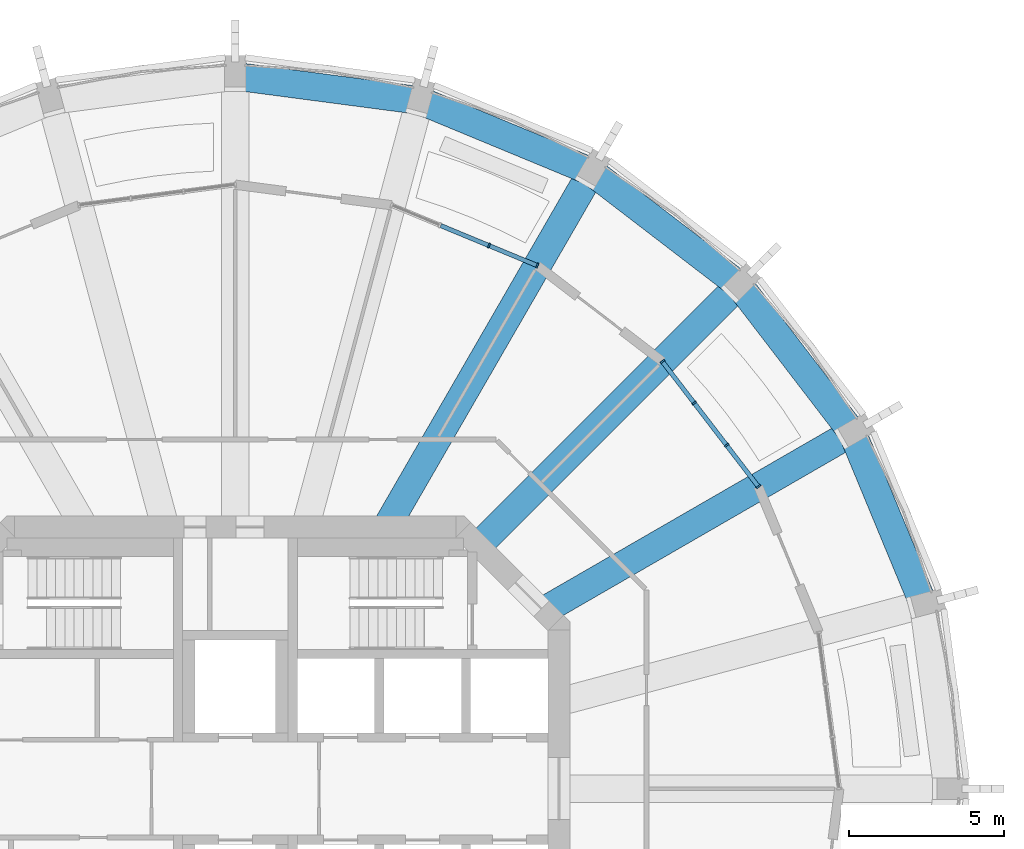
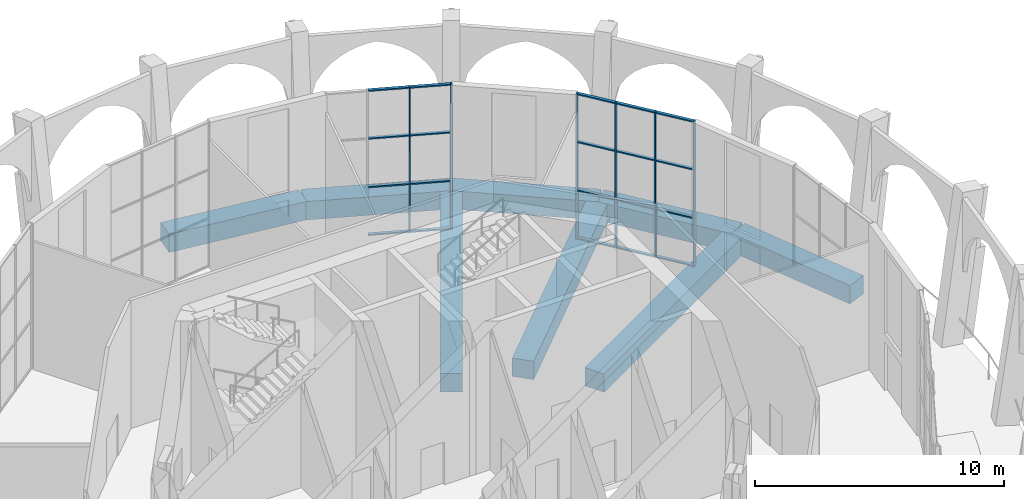
# One storey, part 6 of 16: 26 members, 8 beams, 2 elements without a shape of their own.
"""IFC4 building model written with IfcOpenShell, lengths in metres."""

from ifc_helpers import new_model, si_unit, direction, frame, origin, origin_2d, place, context, subcontext, project, spatial, rectangle, extrude, material, material_profile, profile_set, type_object, element, aggregate, save


model = new_model("IFC4")

# Units and contexts
model_context = context("Model", 3, precision=1e-05, world=origin(), true_north=direction((0.0, 1.0)))
body_context = subcontext(model_context, "Body", "Model", "MODEL_VIEW")
ifc_project = project(units=[si_unit("LENGTHUNIT", "METRE"), si_unit("AREAUNIT", "SQUARE_METRE"), si_unit("VOLUMEUNIT", "CUBIC_METRE"), si_unit("PLANEANGLEUNIT", "RADIAN"), si_unit("MASSUNIT", "GRAM", prefix="KILO")], contexts=[model_context])

# Site, building, storey
site_placement = place(None, origin())
site = spatial("IfcSite", under=ifc_project, at=site_placement, CompositionType="ELEMENT")
building_placement = place(site_placement, origin())
building = spatial("IfcBuilding", under=site, at=building_placement, Name="Torre Triforio", CompositionType="ELEMENT")
storey_placement = place(building_placement, frame((0.0, 0.0, 218.699951171875)))
storey = spatial("IfcBuildingStorey", under=building, at=storey_placement, Name="L50", CompositionType="ELEMENT", Elevation=218.699951171875)

# Curtain wall, members
ifc_material_1 = material(Name="Aluminium mullion and transom frame with clear laminated glass", Category="aluminium")
curtain_wall_type = type_object("IfcCurtainWallType", Name="Sky garden conservatory wall ECW3", PredefinedType="NOTDEFINED", material=ifc_material_1)
curtain_wall_1_placement = place(storey_placement, origin())
curtain_wall_1 = element("IfcCurtainWall", 1, at=curtain_wall_1_placement, inside=storey, type_object=curtain_wall_type, Name="Conservatory wall L50 bay 03", PredefinedType="NOTDEFINED")
ifc_material_2 = material(Name="Anodised aluminium extrusion", Category="aluminium")
ifc_material_profile_1 = material_profile(ifc_material_2, rectangle(XDim=0.159912109375, YDim=0.06005859375, at=origin_2d()), Name="ECW3 MULLION 60x160")
ifc_profile_set_1 = profile_set([ifc_material_profile_1], Name="Anodised aluminium extrusion")
member_type_1 = type_object("IfcMemberType", Name="ECW3 mullion 60 x 160", PredefinedType="MULLION", material=ifc_profile_set_1)
member_1_placement = place(storey_placement, frame((16.887451171875, 9.75, 0.0), z_axis=(0.0, 0.0, 1.0), x_axis=(-0.793348796067, -0.608767351111, 0.0)))
member_1 = element("IfcMember", 2, at=member_1_placement, type_object=member_type_1, Name="ECW3 mullion 1", PredefinedType="MULLION", context=body_context, shape_type="SweptSolid", body=[
    extrude(rectangle(XDim=0.159912109375, YDim=0.06005859375, at=origin_2d()), origin(), (0.0, 0.0, 1.0), 7.1201171875),
])
member_2_placement = place(storey_placement, frame((15.860595703125, 11.08837890625, 0.0), z_axis=(0.0, 0.0, 1.0), x_axis=(-0.793348796067, -0.608767351111, 0.0)))
member_2 = element("IfcMember", 3, at=member_2_placement, type_object=member_type_1, Name="ECW3 mullion 2", PredefinedType="MULLION", context=body_context, shape_type="SweptSolid", body=[
    extrude(rectangle(XDim=0.159912109375, YDim=0.06005859375, at=origin_2d()), origin(), (0.0, 0.0, 1.0), 7.1201171875),
])
member_3_placement = place(storey_placement, frame((14.8154296875, 12.450439453125, 0.0), z_axis=(0.0, 0.0, 1.0), x_axis=(-0.793348796067, -0.608767351111, 0.0)))
member_3 = element("IfcMember", 4, at=member_3_placement, type_object=member_type_1, Name="ECW3 mullion 3", PredefinedType="MULLION", context=body_context, shape_type="SweptSolid", body=[
    extrude(rectangle(XDim=0.159912109375, YDim=0.06005859375, at=origin_2d()), origin(), (0.0, 0.0, 1.0), 7.1201171875),
])
member_4_placement = place(storey_placement, frame((13.78857421875, 13.78857421875, 0.0), z_axis=(0.0, 0.0, 1.0), x_axis=(-0.793348796067, -0.608767351111, 0.0)))
member_4 = element("IfcMember", 5, at=member_4_placement, type_object=member_type_1, Name="ECW3 mullion 4", PredefinedType="MULLION", context=body_context, shape_type="SweptSolid", body=[
    extrude(rectangle(XDim=0.159912109375, YDim=0.06005859375, at=origin_2d()), origin(), (0.0, 0.0, 1.0), 7.1201171875),
])

curtain_wall_2_placement = place(storey_placement, origin())
curtain_wall_2 = element("IfcCurtainWall", 6, at=curtain_wall_2_placement, inside=storey, type_object=curtain_wall_type, Name="Conservatory wall L50 bay 05", PredefinedType="NOTDEFINED")
member_5_placement = place(storey_placement, frame((9.75, 16.887451171875, 0.0), z_axis=(0.0, 0.0, 1.0), x_axis=(-0.382684457334, -0.923879107955, 0.0)))
member_5 = element("IfcMember", 7, at=member_5_placement, type_object=member_type_1, Name="ECW3 mullion 1", PredefinedType="MULLION", context=body_context, shape_type="SweptSolid", body=[
    extrude(rectangle(XDim=0.159912109375, YDim=0.06005859375, at=origin_2d()), origin(), (0.0, 0.0, 1.0), 7.1201171875),
])
member_6_placement = place(storey_placement, frame((8.191650390625, 17.532958984375, 0.0), z_axis=(0.0, 0.0, 1.0), x_axis=(-0.382684457334, -0.923879107955, 0.0)))
member_6 = element("IfcMember", 8, at=member_6_placement, type_object=member_type_1, Name="ECW3 mullion 2", PredefinedType="MULLION", context=body_context, shape_type="SweptSolid", body=[
    extrude(rectangle(XDim=0.159912109375, YDim=0.06005859375, at=origin_2d()), origin(), (0.0, 0.0, 1.0), 7.1201171875),
])

# Member
ifc_material_profile_2 = material_profile(ifc_material_2, rectangle(XDim=0.139892578125, YDim=0.06005859375, at=origin_2d()), Name="ECW3 TRANSOM 60x140")
ifc_profile_set_2 = profile_set([ifc_material_profile_2], Name="Anodised aluminium extrusion")
member_type_2 = type_object("IfcMemberType", Name="ECW3 transom 60 x 140", PredefinedType="USERDEFINED", material=ifc_profile_set_2)
member_7_placement = place(storey_placement, frame((16.869384765625, 9.773681640625, 0.030029296875), z_axis=(-0.608774860562, 0.793343033717, 0.0), x_axis=(-0.793343033717, -0.608774860562, 0.0)))
member_7 = element("IfcMember", 9, at=member_7_placement, type_object=member_type_2, Name="ECW3 transom 1.1", ObjectType="TRANSOM", PredefinedType="USERDEFINED", context=body_context, shape_type="SweptSolid", body=[
    extrude(rectangle(XDim=0.139892578125, YDim=0.06005859375, at=origin_2d()), origin(), (0.0, 0.0, 1.0), 1.626953125),
])

member_8_placement = place(storey_placement, frame((16.869384765625, 9.773681640625, 2.373291015625), z_axis=(-0.608774860562, 0.793343033717, 0.0), x_axis=(-0.793343033717, -0.608774860562, 0.0)))
member_8 = element("IfcMember", 10, at=member_8_placement, type_object=member_type_2, Name="ECW3 transom 1.2", ObjectType="TRANSOM", PredefinedType="USERDEFINED", context=body_context, shape_type="SweptSolid", body=[
    extrude(rectangle(XDim=0.139892578125, YDim=0.06005859375, at=origin_2d()), origin(), (0.0, 0.0, 1.0), 1.626953125),
])

member_9_placement = place(storey_placement, frame((16.869384765625, 9.773681640625, 4.746826171875), z_axis=(-0.608774860562, 0.793343033717, 0.0), x_axis=(-0.793343033717, -0.608774860562, 0.0)))
member_9 = element("IfcMember", 11, at=member_9_placement, type_object=member_type_2, Name="ECW3 transom 1.3", ObjectType="TRANSOM", PredefinedType="USERDEFINED", context=body_context, shape_type="SweptSolid", body=[
    extrude(rectangle(XDim=0.139892578125, YDim=0.06005859375, at=origin_2d()), origin(), (0.0, 0.0, 1.0), 1.626953125),
])

member_10_placement = place(storey_placement, frame((16.869384765625, 9.773681640625, 7.090087890625), z_axis=(-0.608774860562, 0.793343033717, 0.0), x_axis=(-0.793343033717, -0.608774860562, 0.0)))
member_10 = element("IfcMember", 12, at=member_10_placement, type_object=member_type_2, Name="ECW3 transom 1.4", ObjectType="TRANSOM", PredefinedType="USERDEFINED", context=body_context, shape_type="SweptSolid", body=[
    extrude(rectangle(XDim=0.139892578125, YDim=0.06005859375, at=origin_2d()), origin(), (0.0, 0.0, 1.0), 1.626953125),
])

member_11_placement = place(storey_placement, frame((15.84228515625, 11.112060546875, 0.030029296875), z_axis=(-0.608734670462, 0.793373872129, 0.0), x_axis=(-0.793373872129, -0.608734670462, 0.0)))
member_11 = element("IfcMember", 13, at=member_11_placement, type_object=member_type_2, Name="ECW3 transom 2.1", ObjectType="TRANSOM", PredefinedType="USERDEFINED", context=body_context, shape_type="SweptSolid", body=[
    extrude(rectangle(XDim=0.139892578125, YDim=0.06005859375, at=origin_2d()), origin(), (0.0, 0.0, 1.0), 1.65673828125),
])

member_12_placement = place(storey_placement, frame((15.84228515625, 11.112060546875, 2.373291015625), z_axis=(-0.608734670462, 0.793373872129, 0.0), x_axis=(-0.793373872129, -0.608734670462, 0.0)))
member_12 = element("IfcMember", 14, at=member_12_placement, type_object=member_type_2, Name="ECW3 transom 2.2", ObjectType="TRANSOM", PredefinedType="USERDEFINED", context=body_context, shape_type="SweptSolid", body=[
    extrude(rectangle(XDim=0.139892578125, YDim=0.06005859375, at=origin_2d()), origin(), (0.0, 0.0, 1.0), 1.65673828125),
])

member_13_placement = place(storey_placement, frame((15.84228515625, 11.112060546875, 4.746826171875), z_axis=(-0.608734670462, 0.793373872129, 0.0), x_axis=(-0.793373872129, -0.608734670462, 0.0)))
member_13 = element("IfcMember", 15, at=member_13_placement, type_object=member_type_2, Name="ECW3 transom 2.3", ObjectType="TRANSOM", PredefinedType="USERDEFINED", context=body_context, shape_type="SweptSolid", body=[
    extrude(rectangle(XDim=0.139892578125, YDim=0.06005859375, at=origin_2d()), origin(), (0.0, 0.0, 1.0), 1.65673828125),
])

member_14_placement = place(storey_placement, frame((15.84228515625, 11.112060546875, 7.090087890625), z_axis=(-0.608734670462, 0.793373872129, 0.0), x_axis=(-0.793373872129, -0.608734670462, 0.0)))
member_14 = element("IfcMember", 16, at=member_14_placement, type_object=member_type_2, Name="ECW3 transom 2.4", ObjectType="TRANSOM", PredefinedType="USERDEFINED", context=body_context, shape_type="SweptSolid", body=[
    extrude(rectangle(XDim=0.139892578125, YDim=0.06005859375, at=origin_2d()), origin(), (0.0, 0.0, 1.0), 1.65673828125),
])

member_15_placement = place(storey_placement, frame((14.797119140625, 12.47412109375, 0.030029296875), z_axis=(-0.60868040376, 0.793415506578, 0.0), x_axis=(-0.793415506578, -0.60868040376, 0.0)))
member_15 = element("IfcMember", 17, at=member_15_placement, type_object=member_type_2, Name="ECW3 transom 3.1", ObjectType="TRANSOM", PredefinedType="USERDEFINED", context=body_context, shape_type="SweptSolid", body=[
    extrude(rectangle(XDim=0.139892578125, YDim=0.06005859375, at=origin_2d()), origin(), (0.0, 0.0, 1.0), 1.626953125),
])

member_16_placement = place(storey_placement, frame((14.797119140625, 12.47412109375, 2.373291015625), z_axis=(-0.60868040376, 0.793415506578, 0.0), x_axis=(-0.793415506578, -0.60868040376, 0.0)))
member_16 = element("IfcMember", 18, at=member_16_placement, type_object=member_type_2, Name="ECW3 transom 3.2", ObjectType="TRANSOM", PredefinedType="USERDEFINED", context=body_context, shape_type="SweptSolid", body=[
    extrude(rectangle(XDim=0.139892578125, YDim=0.06005859375, at=origin_2d()), origin(), (0.0, 0.0, 1.0), 1.626953125),
])

member_17_placement = place(storey_placement, frame((14.797119140625, 12.47412109375, 4.746826171875), z_axis=(-0.60868040376, 0.793415506578, 0.0), x_axis=(-0.793415506578, -0.60868040376, 0.0)))
member_17 = element("IfcMember", 19, at=member_17_placement, type_object=member_type_2, Name="ECW3 transom 3.3", ObjectType="TRANSOM", PredefinedType="USERDEFINED", context=body_context, shape_type="SweptSolid", body=[
    extrude(rectangle(XDim=0.139892578125, YDim=0.06005859375, at=origin_2d()), origin(), (0.0, 0.0, 1.0), 1.626953125),
])

member_18_placement = place(storey_placement, frame((14.797119140625, 12.47412109375, 7.090087890625), z_axis=(-0.60868040376, 0.793415506578, 0.0), x_axis=(-0.793415506578, -0.60868040376, 0.0)))
member_18 = element("IfcMember", 20, at=member_18_placement, type_object=member_type_2, Name="ECW3 transom 3.4", ObjectType="TRANSOM", PredefinedType="USERDEFINED", context=body_context, shape_type="SweptSolid", body=[
    extrude(rectangle(XDim=0.139892578125, YDim=0.06005859375, at=origin_2d()), origin(), (0.0, 0.0, 1.0), 1.626953125),
])

aggregate(curtain_wall_1, [member_1, member_2, member_3, member_4, member_7, member_8, member_9, member_10, member_11, member_12, member_13, member_14, member_15, member_16, member_17, member_18])

member_19_placement = place(storey_placement, frame((9.72216796875, 16.89892578125, 0.030029296875), z_axis=(-0.923874156886, 0.382696410016, 0.0), x_axis=(-0.382696410016, -0.923874156886, 0.0)))
member_19 = element("IfcMember", 21, at=member_19_placement, type_object=member_type_2, Name="ECW3 transom 1.1", ObjectType="TRANSOM", PredefinedType="USERDEFINED", context=body_context, shape_type="SweptSolid", body=[
    extrude(rectangle(XDim=0.139892578125, YDim=0.06005859375, at=origin_2d()), origin(), (0.0, 0.0, 1.0), 1.626708984375),
])

member_20_placement = place(storey_placement, frame((9.72216796875, 16.89892578125, 2.373291015625), z_axis=(-0.923874156886, 0.382696410016, 0.0), x_axis=(-0.382696410016, -0.923874156886, 0.0)))
member_20 = element("IfcMember", 22, at=member_20_placement, type_object=member_type_2, Name="ECW3 transom 1.2", ObjectType="TRANSOM", PredefinedType="USERDEFINED", context=body_context, shape_type="SweptSolid", body=[
    extrude(rectangle(XDim=0.139892578125, YDim=0.06005859375, at=origin_2d()), origin(), (0.0, 0.0, 1.0), 1.626708984375),
])

member_21_placement = place(storey_placement, frame((9.72216796875, 16.89892578125, 4.746826171875), z_axis=(-0.923874156886, 0.382696410016, 0.0), x_axis=(-0.382696410016, -0.923874156886, 0.0)))
member_21 = element("IfcMember", 23, at=member_21_placement, type_object=member_type_2, Name="ECW3 transom 1.3", ObjectType="TRANSOM", PredefinedType="USERDEFINED", context=body_context, shape_type="SweptSolid", body=[
    extrude(rectangle(XDim=0.139892578125, YDim=0.06005859375, at=origin_2d()), origin(), (0.0, 0.0, 1.0), 1.626708984375),
])

member_22_placement = place(storey_placement, frame((9.72216796875, 16.89892578125, 7.090087890625), z_axis=(-0.923874156886, 0.382696410016, 0.0), x_axis=(-0.382696410016, -0.923874156886, 0.0)))
member_22 = element("IfcMember", 24, at=member_22_placement, type_object=member_type_2, Name="ECW3 transom 1.4", ObjectType="TRANSOM", PredefinedType="USERDEFINED", context=body_context, shape_type="SweptSolid", body=[
    extrude(rectangle(XDim=0.139892578125, YDim=0.06005859375, at=origin_2d()), origin(), (0.0, 0.0, 1.0), 1.626708984375),
])

member_23_placement = place(storey_placement, frame((8.163818359375, 17.54443359375, 0.030029296875), z_axis=(-0.923885733713, 0.382668460997, 0.0), x_axis=(-0.382668460997, -0.923885733713, 0.0)))
member_23 = element("IfcMember", 25, at=member_23_placement, type_object=member_type_2, Name="ECW3 transom 2.1", ObjectType="TRANSOM", PredefinedType="USERDEFINED", context=body_context, shape_type="SweptSolid", body=[
    extrude(rectangle(XDim=0.139892578125, YDim=0.06005859375, at=origin_2d()), origin(), (0.0, 0.0, 1.0), 1.656982421875),
])

member_24_placement = place(storey_placement, frame((8.163818359375, 17.54443359375, 2.373291015625), z_axis=(-0.923885733713, 0.382668460997, 0.0), x_axis=(-0.382668460997, -0.923885733713, 0.0)))
member_24 = element("IfcMember", 26, at=member_24_placement, type_object=member_type_2, Name="ECW3 transom 2.2", ObjectType="TRANSOM", PredefinedType="USERDEFINED", context=body_context, shape_type="SweptSolid", body=[
    extrude(rectangle(XDim=0.139892578125, YDim=0.06005859375, at=origin_2d()), origin(), (0.0, 0.0, 1.0), 1.656982421875),
])

member_25_placement = place(storey_placement, frame((8.163818359375, 17.54443359375, 4.746826171875), z_axis=(-0.923885733713, 0.382668460997, 0.0), x_axis=(-0.382668460997, -0.923885733713, 0.0)))
member_25 = element("IfcMember", 27, at=member_25_placement, type_object=member_type_2, Name="ECW3 transom 2.3", ObjectType="TRANSOM", PredefinedType="USERDEFINED", context=body_context, shape_type="SweptSolid", body=[
    extrude(rectangle(XDim=0.139892578125, YDim=0.06005859375, at=origin_2d()), origin(), (0.0, 0.0, 1.0), 1.656982421875),
])

member_26_placement = place(storey_placement, frame((8.163818359375, 17.54443359375, 7.090087890625), z_axis=(-0.923885733713, 0.382668460997, 0.0), x_axis=(-0.382668460997, -0.923885733713, 0.0)))
member_26 = element("IfcMember", 28, at=member_26_placement, type_object=member_type_2, Name="ECW3 transom 2.4", ObjectType="TRANSOM", PredefinedType="USERDEFINED", context=body_context, shape_type="SweptSolid", body=[
    extrude(rectangle(XDim=0.139892578125, YDim=0.06005859375, at=origin_2d()), origin(), (0.0, 0.0, 1.0), 1.656982421875),
])

aggregate(curtain_wall_2, [member_5, member_6, member_19, member_20, member_21, member_22, member_23, member_24, member_25, member_26])

# Beams
ifc_material_3 = material(Name="Concrete C40", Category="concrete")
ifc_material_profile_3 = material_profile(ifc_material_3, rectangle(XDim=0.89990234375, YDim=0.89990234375, at=origin_2d()), Name="RC 900x900")
ifc_profile_set_3 = profile_set([ifc_material_profile_3], Name="Concrete C40")
beam_type_1 = type_object("IfcBeamType", Name="Radial beam RC 900x900 C40", PredefinedType="BEAM", material=ifc_profile_set_3)
beam_1_placement = place(storey_placement, frame((9.9501953125, 5.744873046875, -0.72998046875), z_axis=(0.866032648629, 0.499987451351, 0.0), x_axis=(-0.499987451351, 0.866032648629, 0.0)))
element("IfcBeam", 29, at=beam_1_placement, inside=storey, type_object=beam_type_1, Name="BM.R.L50.02", PredefinedType="BEAM", context=body_context, shape_type="SweptSolid", body=[
    extrude(rectangle(XDim=0.89990234375, YDim=0.89990234375, at=origin_2d()), origin(), (0.0, 0.0, 1.0), 11.510498046875),
])
beam_2_placement = place(storey_placement, frame((7.847412109375, 7.847412109375, -0.72998046875), z_axis=(0.707106781187, 0.707106781187, 0.0), x_axis=(-0.707106781187, 0.707106781187, 0.0)))
element("IfcBeam", 30, at=beam_2_placement, inside=storey, type_object=beam_type_1, Name="BM.R.L50.03", PredefinedType="BEAM", context=body_context, shape_type="SweptSolid", body=[
    extrude(rectangle(XDim=0.89990234375, YDim=0.89990234375, at=origin_2d()), origin(), (0.0, 0.0, 1.0), 11.902099609375),
])
beam_3_placement = place(storey_placement, frame((4.878662109375, 8.449951171875, -0.72998046875), z_axis=(0.499991617607, 0.866030243307, 0.0), x_axis=(-0.866030243307, 0.499991617607, 0.0)))
element("IfcBeam", 31, at=beam_3_placement, inside=storey, type_object=beam_type_1, Name="BM.R.L50.04", PredefinedType="BEAM", context=body_context, shape_type="SweptSolid", body=[
    extrude(rectangle(XDim=0.89990234375, YDim=0.89990234375, at=origin_2d()), origin(), (0.0, 0.0, 1.0), 13.242919921875),
])
ifc_material_profile_4 = material_profile(ifc_material_3, rectangle(XDim=0.89990234375, YDim=0.89990234375, at=origin_2d()), Name="RC 900x900")
ifc_profile_set_4 = profile_set([ifc_material_profile_4], Name="Concrete C40")
beam_type_2 = type_object("IfcBeamType", Name="Spandrel beam RC 900x900 C40", PredefinedType="SPANDREL", material=ifc_profile_set_4)
for number, where, z_axis, x_axis, name in (
    (32, (22.21630859375, 5.952880859375, -0.72998046875), (-0.382671411433, 0.923884511653, 0.0), (-0.923884511653, -0.382671411433, 0.0), "BM.S.L50.01"),
    (33, (19.918701171875, 11.5, -0.72998046875), (-0.608778912074, 0.793339924758, 0.0), (-0.793339924758, -0.608778912074, 0.0), "BM.S.L50.02"),
    (34, (16.263427734375, 16.263427734375, -0.72998046875), (-0.793339924758, 0.608778912074, 0.0), (-0.608778912074, -0.793339924758, 0.0), "BM.S.L50.03"),
    (35, (11.5, 19.918701171875, -0.72998046875), (-0.923884511653, 0.382671411433, 0.0), (-0.382671411433, -0.923884511653, 0.0), "BM.S.L50.04"),
    (36, (5.952880859375, 22.21630859375, -0.72998046875), (-0.991445297315, 0.130522880875, 0.0), (-0.130522880875, -0.991445297315, 0.0), "BM.S.L50.05"),
):
    element("IfcBeam", number, at=place(storey_placement, frame(where, z_axis=z_axis, x_axis=x_axis)), inside=storey, type_object=beam_type_2, Name=name, PredefinedType="SPANDREL", context=body_context, shape_type="SweptSolid", body=[
        extrude(rectangle(XDim=0.89990234375, YDim=0.89990234375, at=origin_2d()), origin(), (0.0, 0.0, 1.0), 6.004150390625),
    ])

save(model, "model.ifc")
